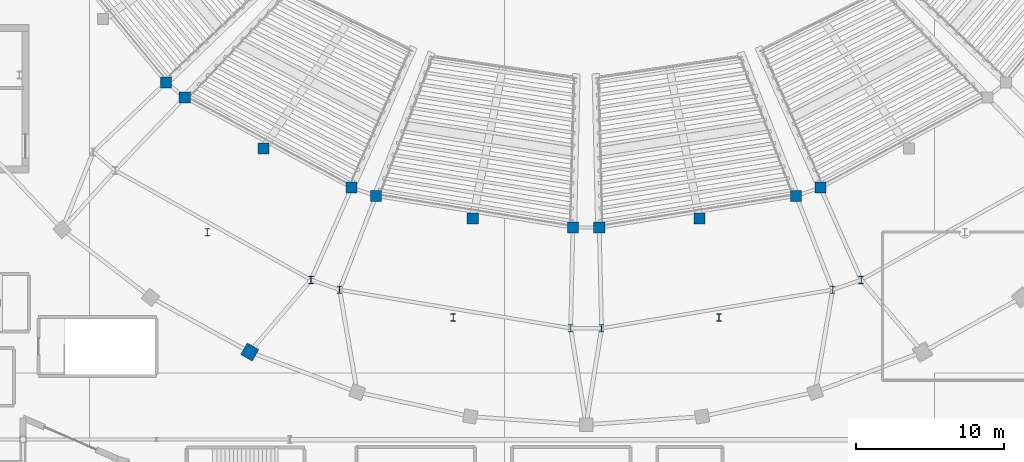
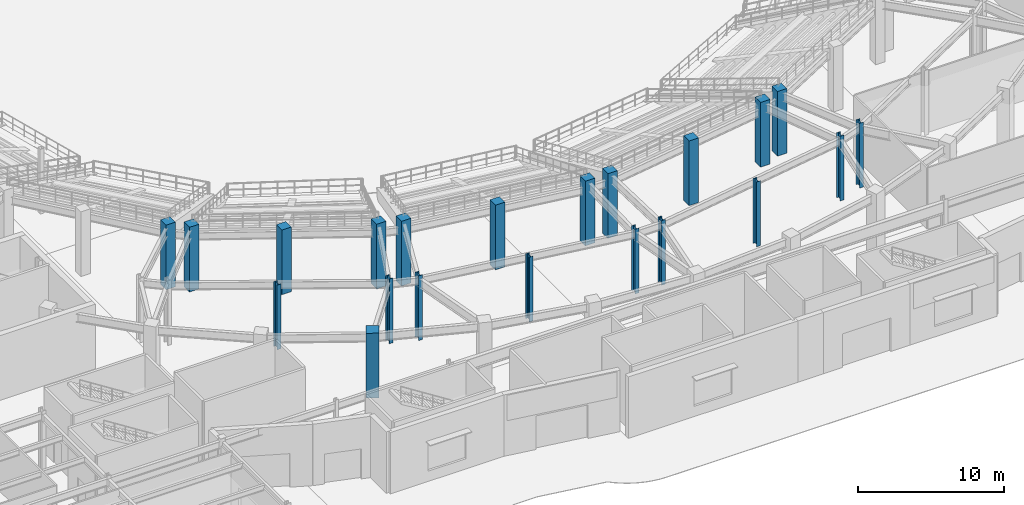
# One storey, part 7 of 79: 21 columns.
"""IFC4 building model written with IfcOpenShell, lengths in metres."""

from ifc_helpers import new_model, si_unit, direction, frame, origin, origin_2d, place, context, subcontext, project, spatial, rectangle, i_section, extrude, material, material_profile, profile_set, type_object, element, save


model = new_model("IFC4")

# Units and contexts
model_context = context("Model", 3, precision=1e-05, world=origin(), true_north=direction((0.0, 1.0)))
body_context = subcontext(model_context, "Body", "Model", "MODEL_VIEW")
ifc_project = project(units=[si_unit("LENGTHUNIT", "METRE"), si_unit("AREAUNIT", "SQUARE_METRE"), si_unit("VOLUMEUNIT", "CUBIC_METRE"), si_unit("PLANEANGLEUNIT", "RADIAN"), si_unit("MASSUNIT", "GRAM", prefix="KILO")], contexts=[model_context])

# Site, building, storey
site_placement = place(None, origin())
site = spatial("IfcSite", under=ifc_project, at=site_placement, CompositionType="ELEMENT")
building_placement = place(site_placement, origin())
building = spatial("IfcBuilding", under=site, at=building_placement, Name="Glasvene Arena", CompositionType="ELEMENT")
storey_placement = place(building_placement, origin())
storey = spatial("IfcBuildingStorey", under=building, at=storey_placement, Name="L00", CompositionType="ELEMENT", Elevation=0.0)

# Columns
ifc_material_1 = material(Name="Concrete C40/50", Category="concrete")
ifc_material_profile_1 = material_profile(ifc_material_1, rectangle(XDim=0.89990234375, YDim=0.89990234375, at=origin_2d()), Name="RC 900x900")
ifc_profile_set_1 = profile_set([ifc_material_profile_1], Name="Concrete C40/50")
column_type_1 = type_object("IfcColumnType", Name="COL-BOWL-RC900", PredefinedType="COLUMN", material=ifc_profile_set_1)
column_placement = place(storey_placement, frame((69.300537109375, 32.90478515625, 0.0), z_axis=(0.0, 0.0, 1.0), x_axis=(-0.492727341548, -0.87018375467, 0.0)))
element("IfcColumn", 1, at=column_placement, inside=storey, type_object=column_type_1, Name="Bowl ring column R28 L00", PredefinedType="COLUMN", context=body_context, shape_type="SweptSolid", body=[
    extrude(rectangle(XDim=0.89990234375, YDim=0.89990234375, at=origin_2d()), origin(), (0.0, 0.0, 1.0), 5.39990234375),
])
ifc_material_profile_2 = material_profile(ifc_material_1, rectangle(XDim=0.75, YDim=0.75, at=origin_2d()), Name="RC 750x750")
ifc_profile_set_2 = profile_set([ifc_material_profile_2], Name="Concrete C40/50")
column_type_2 = type_object("IfcColumnType", Name="COL-MID-RC750", PredefinedType="COLUMN", material=ifc_profile_set_2)
for number, where, z_axis, x_axis, name in (
    (2, (63.65966796875, 51.09912109375, 0.0), (0.0, 0.0, 1.0), (1.0, 0.0, 0.0), "Mid-bowl fulcrum column L00 10-2"),
    (3, (64.91748046875, 50.081787109375, 0.0), (0.0, 0.0, 1.0), (1.0, 0.0, 0.0), "Mid-bowl fulcrum column L00 11-1"),
    (4, (76.180908203125, 43.995849609375, 0.0), (0.0, 0.0, 1.0), (1.0, 0.0, 0.0), "Mid-bowl fulcrum column L00 11-2"),
    (5, (77.82421875, 43.4453125, 0.0), (0.0, 0.0, 1.0), (1.0, 0.0, 0.0), "Mid-bowl fulcrum column L00 12-1"),
    (6, (91.110595703125, 41.30810546875, 0.0), (0.0, 0.0, 1.0), (1.0, 0.0, 0.0), "Mid-bowl fulcrum column L00 12-2"),
    (7, (92.889404296875, 41.30810546875, 0.0), (0.0, 0.0, 1.0), (1.0, 0.0, 0.0), "Mid-bowl fulcrum column L00 13-1"),
    (8, (106.17578125, 43.4453125, 0.0), (0.0, 0.0, 1.0), (1.0, 0.0, 0.0), "Mid-bowl fulcrum column L00 13-2"),
    (9, (107.819091796875, 43.995849609375, 0.0), (0.0, 0.0, 1.0), (1.0, 0.0, 0.0), "Mid-bowl fulcrum column L00 14-1"),
    (10, (70.2216796875, 46.642333984375, 0.0), (0.0, 0.0, 1.0), (1.0, 0.0, 0.0), "Mid-sector fulcrum column L00 11"),
    (11, (84.3525390625, 41.9091796875, 0.0), (0.0, 0.0, 1.0), (1.0, 0.0, 0.0), "Mid-sector fulcrum column L00 12"),
    (12, (99.6474609375, 41.9091796875, 0.0), (0.0, 0.0, 1.0), (1.0, 0.0, 0.0), "Mid-sector fulcrum column L00 13"),
):
    element("IfcColumn", number, at=place(storey_placement, frame(where, z_axis=z_axis, x_axis=x_axis)), inside=storey, type_object=column_type_2, Name=name, PredefinedType="COLUMN", context=body_context, shape_type="SweptSolid", body=[
        extrude(rectangle(XDim=0.75, YDim=0.75, at=origin_2d()), origin(), (0.0, 0.0, 1.0), 5.39990234375),
    ])
ifc_material_2 = material(Name="Steel S355J2", Category="steel")
ifc_material_profile_3 = material_profile(ifc_material_2, i_section(OverallWidth=0.300048828125, OverallDepth=0.5, WebThickness=0.014404296875, FlangeThickness=0.028076171875, FilletRadius=0.027099609375, at=origin_2d()), Name="HEB 500")
ifc_profile_set_3 = profile_set([ifc_material_profile_3], Name="Steel S355J2")
column_type_3 = type_object("IfcColumnType", Name="COL-W-HEB500", PredefinedType="COLUMN", material=ifc_profile_set_3)
for number, where, z_axis, x_axis, name in (
    (13, (73.43701171875, 37.774169921875, 0.0), (0.0, 0.0, 1.0), (1.0, 0.0, 0.0), "Upper raker rear column L00 11-2"),
    (14, (75.365234375, 37.10546875, 0.0), (0.0, 0.0, 1.0), (1.0, 0.0, 0.0), "Upper raker rear column L00 12-1"),
    (15, (90.956298828125, 34.510009765625, 0.0), (0.0, 0.0, 1.0), (1.0, 0.0, 0.0), "Upper raker rear column L00 12-2"),
    (16, (93.043701171875, 34.510009765625, 0.0), (0.0, 0.0, 1.0), (1.0, 0.0, 0.0), "Upper raker rear column L00 13-1"),
    (17, (108.634765625, 37.10546875, 0.0), (0.0, 0.0, 1.0), (1.0, 0.0, 0.0), "Upper raker rear column L00 13-2"),
    (18, (110.56298828125, 37.774169921875, 0.0), (0.0, 0.0, 1.0), (1.0, 0.0, 0.0), "Upper raker rear column L00 14-1"),
    (19, (66.44384765625, 40.98828125, 0.0), (0.0, 0.0, 1.0), (1.0, 0.0, 0.0), "Mid-sector rear raker column L00 11"),
    (20, (83.02587890625, 35.23974609375, 0.0), (0.0, 0.0, 1.0), (1.0, 0.0, 0.0), "Mid-sector rear raker column L00 12"),
    (21, (100.97412109375, 35.23974609375, 0.0), (0.0, 0.0, 1.0), (1.0, 0.0, 0.0), "Mid-sector rear raker column L00 13"),
):
    element("IfcColumn", number, at=place(storey_placement, frame(where, z_axis=z_axis, x_axis=x_axis)), inside=storey, type_object=column_type_3, Name=name, PredefinedType="COLUMN", context=body_context, shape_type="SweptSolid", body=[
        extrude(i_section(OverallWidth=0.300048828125, OverallDepth=0.5, WebThickness=0.014404296875, FlangeThickness=0.028076171875, FilletRadius=0.027099609375, at=origin_2d()), origin(), (0.0, 0.0, 1.0), 5.39990234375),
    ])

save(model, "model.ifc")
